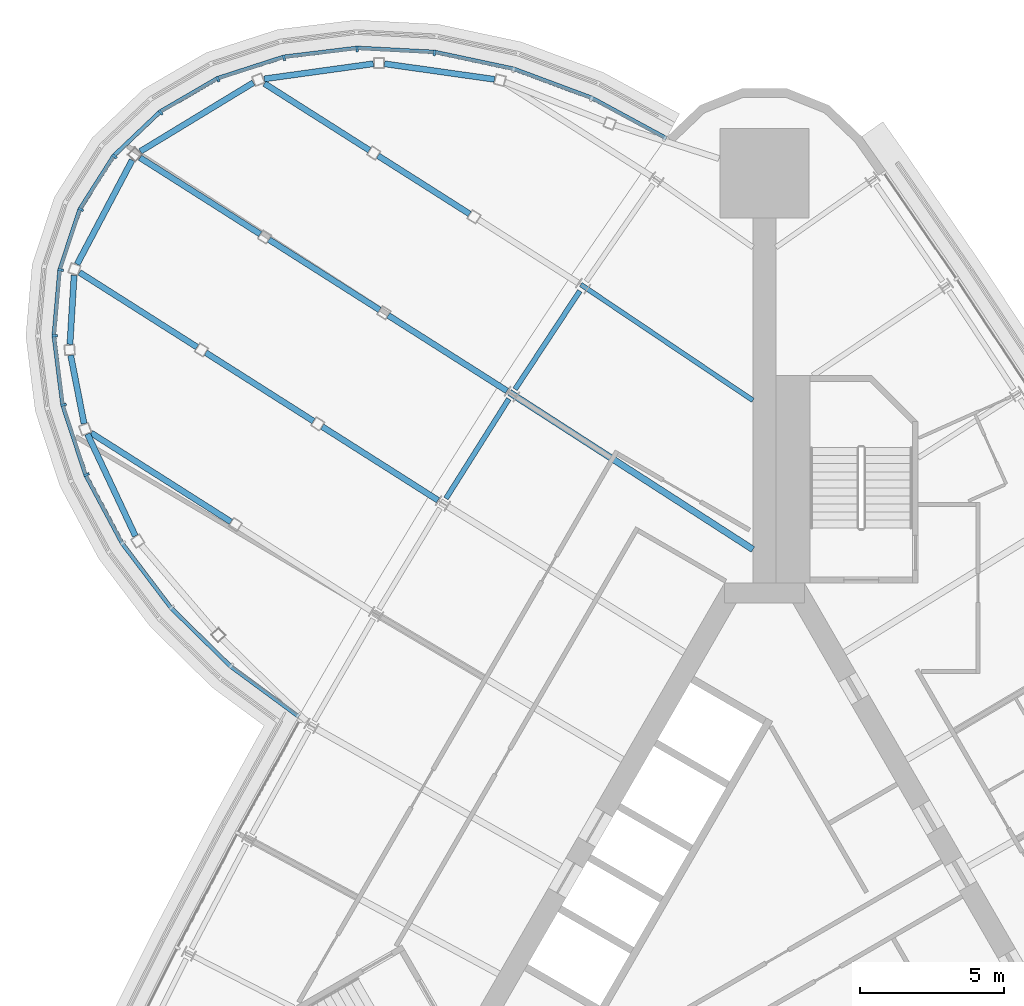
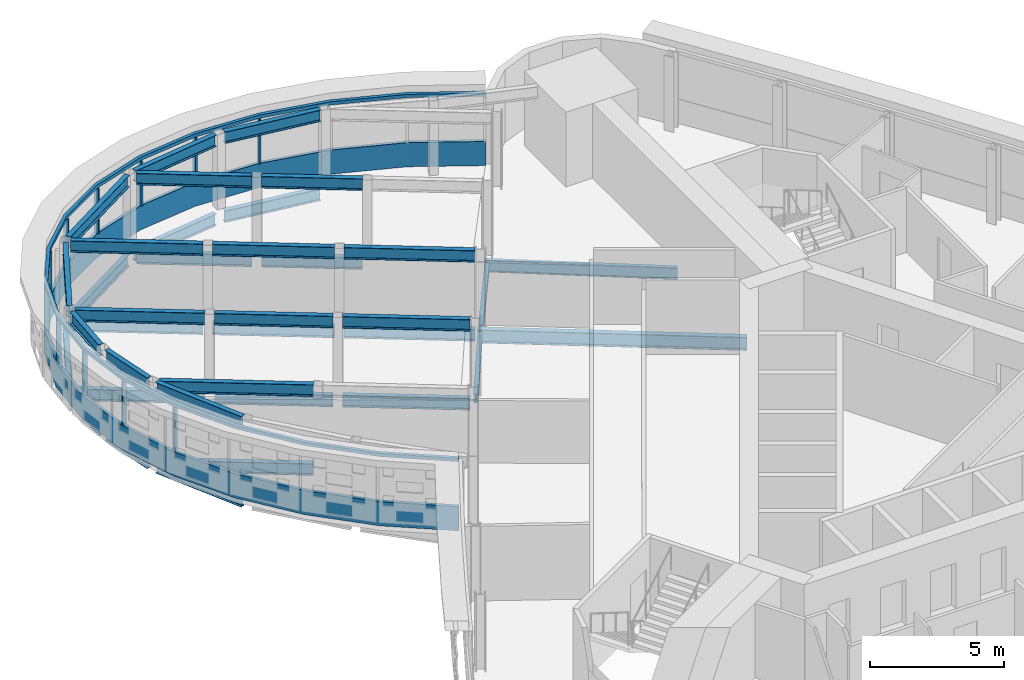
# One storey, part 8 of 17: 36 beams, 13 members, 1 element without a shape of its own.
"""IFC4 building model written with IfcOpenShell, lengths in metres."""

import ifcopenshell
import ifcopenshell.guid

model = None  # the IFC model being written
_history = None  # IfcOwnerHistory: only IFC2X3 demands one
_inside = {}  # id of a spatial element -> (the spatial element, [elements in it])
_under = {}  # id of a project, library or spatial element -> (it, [spatial elements below it])
_declared = {}  # id of a project -> (the project, [libraries it declares])
_typed = {}  # id of a type object -> (the type object, [elements of that type])
_made_of = {}  # id of a material, layer set ... -> (it, [elements and type objects made of it])


def new_model(schema):
    """Start an empty IFC model of exactly this schema.

    Asked for "IFC4X3", IfcOpenShell would pick the latest addendum, in which some entities
    have other attributes; the version numbers below select the first issue.
    IFC2X3 requires an IfcOwnerHistory on every rooted entity: one is made here for all.
    """
    global model, _history
    if schema == "IFC4X3":
        model = ifcopenshell.file(schema_version=(4, 3, 0, 0))
    else:
        model = ifcopenshell.file(schema=schema)
    _inside.clear()
    _under.clear()
    _declared.clear()
    _typed.clear()
    _made_of.clear()
    _history = None
    if model.schema == "IFC2X3":
        org = make("IfcOrganization", Name="unknown")
        user = make(
            "IfcPersonAndOrganization",
            ThePerson=make("IfcPerson", FamilyName="unknown"),
            TheOrganization=org,
        )
        app = make(
            "IfcApplication",
            ApplicationDeveloper=org,
            Version="unknown",
            ApplicationFullName="unknown",
            ApplicationIdentifier="unknown",
        )
        _history = make(
            "IfcOwnerHistory",
            OwningUser=user,
            OwningApplication=app,
            ChangeAction="ADDED",
            CreationDate=0,
        )
    return model


def make(cls, **values):
    """One entity of the class cls with the attributes given. An attribute that is None is left unset."""
    return model.create_entity(
        cls, **{name: value for name, value in values.items() if value is not None}
    )


def rooted(cls, **values):
    """An entity with a GlobalId (a new one), such as an element, a storey or a relation."""
    return make(cls, GlobalId=ifcopenshell.guid.new(), OwnerHistory=_history, **values)


def si_unit(unit_type, name, prefix=None):
    """IfcSIUnit, for example si_unit("LENGTHUNIT", "METRE", prefix="MILLI")."""
    return make("IfcSIUnit", UnitType=unit_type, Prefix=prefix, Name=name)


def assignment(units):
    """IfcUnitAssignment: the units of a project."""
    return None if units is None else make("IfcUnitAssignment", Units=units)


def point(xyz):
    """IfcCartesianPoint."""
    return None if xyz is None else make("IfcCartesianPoint", Coordinates=xyz)


def direction(xyz):
    """IfcDirection."""
    return None if xyz is None else make("IfcDirection", DirectionRatios=xyz)


def frame(location, z_axis=None, x_axis=None):
    """IfcAxis2Placement3D, a coordinate frame: its origin and axes. An axis left out is left unset."""
    return make(
        "IfcAxis2Placement3D",
        Location=point(location),
        Axis=direction(z_axis),
        RefDirection=direction(x_axis),
    )


def frame_2d(location, x_axis=None):
    """IfcAxis2Placement2D, a coordinate frame in the plane: its origin and x axis."""
    return make(
        "IfcAxis2Placement2D", Location=point(location), RefDirection=direction(x_axis)
    )


def origin():
    """The frame at (0, 0, 0) with its axes left unset."""
    return frame((0.0, 0.0, 0.0))


def origin_2d():
    """The frame at (0, 0) in the plane with its x axis left unset."""
    return frame_2d((0.0, 0.0))


def place(relative_to, where):
    """IfcLocalPlacement: puts the frame where relative to a parent placement (None: the world)."""
    return make(
        "IfcLocalPlacement", PlacementRelTo=relative_to, RelativePlacement=where
    )


def context(
    kind, dimensions, precision=None, world=None, true_north=None, identifier=None
):
    """IfcGeometricRepresentationContext, for example the 3D "Model" context."""
    return make(
        "IfcGeometricRepresentationContext",
        ContextIdentifier=identifier,
        ContextType=kind,
        CoordinateSpaceDimension=dimensions,
        Precision=precision,
        WorldCoordinateSystem=world,
        TrueNorth=true_north,
    )


def subcontext(parent, identifier, kind, view, scale=None):
    """IfcGeometricRepresentationSubContext, for example "Body" below "Model"."""
    return make(
        "IfcGeometricRepresentationSubContext",
        ContextIdentifier=identifier,
        ContextType=kind,
        ParentContext=parent,
        TargetScale=scale,
        TargetView=view,
    )


def project(units=None, contexts=None):
    """IfcProject with its units and contexts."""
    return rooted(
        "IfcProject",
        Name="project",
        RepresentationContexts=contexts,
        UnitsInContext=assignment(units),
    )


def spatial(cls, under=None, at=None, **own):
    """A site, building, storey or space (cls), placed at a placement, below another one or the project."""
    s = rooted(cls, ObjectPlacement=at, **own)
    if under is not None:
        _under.setdefault(under.id(), (under, []))[1].append(s)
    return s


def polyline(points):
    """IfcPolyline through the points."""
    return make("IfcPolyline", Points=[point(p) for p in points])


def profile(cls, at=None, kind="AREA", **sizes):
    """A parametric profile (cls). Its sizes go by their IFC names, for example OverallWidth=200.0."""
    return make(cls, ProfileType=kind, Position=at, **sizes)


def rectangle(**sizes):
    """IfcRectangleProfileDef."""
    return profile("IfcRectangleProfileDef", **sizes)


def i_section(**sizes):
    """IfcIShapeProfileDef."""
    return profile("IfcIShapeProfileDef", **sizes)


def outline(outer, holes=None, kind="AREA"):
    """IfcArbitraryClosedProfileDef: a profile drawn as a closed curve; with holes, ...WithVoids."""
    if holes is None:
        return make("IfcArbitraryClosedProfileDef", ProfileType=kind, OuterCurve=outer)
    return make(
        "IfcArbitraryProfileDefWithVoids",
        ProfileType=kind,
        OuterCurve=outer,
        InnerCurves=holes,
    )


def extrude(swept, where, along, depth):
    """IfcExtrudedAreaSolid: the profile swept, set in the frame where, extruded along a direction by depth."""
    return make(
        "IfcExtrudedAreaSolid",
        SweptArea=swept,
        Position=where,
        ExtrudedDirection=direction(along),
        Depth=depth,
    )


def shape(context_of_items, identifier, shape_type, items):
    """IfcShapeRepresentation: the items that make up one representation, for example the "Body"."""
    return make(
        "IfcShapeRepresentation",
        ContextOfItems=context_of_items,
        RepresentationIdentifier=identifier,
        RepresentationType=shape_type,
        Items=items,
    )


def material(Name=None, Category=None):
    """IfcMaterial."""
    return make("IfcMaterial", Name=Name, Category=Category)


def material_profile(
    of_material, cross_section, Name=None, Category=None, Priority=None
):
    """IfcMaterialProfile: a cross section and its material."""
    return make(
        "IfcMaterialProfile",
        Name=Name,
        Material=of_material,
        Profile=cross_section,
        Priority=Priority,
        Category=Category,
    )


def profile_set(profiles, Name=None, composite=None):
    """IfcMaterialProfileSet."""
    return make(
        "IfcMaterialProfileSet",
        Name=Name,
        MaterialProfiles=profiles,
        CompositeProfile=composite,
    )


def made_of(thing, what):
    """Note that an element or type object is made of a material, layer set ...; save() writes the relation."""
    if what is not None:
        _made_of.setdefault(what.id(), (what, []))[1].append(thing)
    return thing


def type_object(cls, material=None, **own):
    """A type object (cls), such as IfcWallType, which elements share."""
    return made_of(rooted(cls, **own), material)


def element(
    cls,
    number,
    at=None,
    inside=None,
    cuts=None,
    type_object=None,
    material=None,
    context=None,
    identifier="Body",
    shape_type=None,
    held_by="IfcProductDefinitionShape",
    body=None,
    shapes=None,
    **own,
):
    """One element of the class cls, such as IfcWall. Its Tag is "e" and its number.

    at: its placement. inside: the storey or other place that contains it. cuts: it is an
    opening in that element (IfcRelVoidsElement). A single representation is given by context,
    identifier, shape_type and body (its items); several are given by shapes. held_by: the class
    of the entity that holds the representations. save() writes the other relations.
    """
    e = rooted(cls, Tag="e%d" % number, ObjectPlacement=at, **own)
    if body is not None:
        shapes = [shape(context, identifier, shape_type, body)]
    if shapes is not None:
        e.Representation = make(held_by, Representations=shapes)
    if inside is not None:
        _inside.setdefault(inside.id(), (inside, []))[1].append(e)
    if cuts is not None:
        rooted(
            "IfcRelVoidsElement", RelatingBuildingElement=cuts, RelatedOpeningElement=e
        )
    if type_object is not None:
        _typed.setdefault(type_object.id(), (type_object, []))[1].append(e)
    return made_of(e, material)


def aggregate(whole, parts):
    """IfcRelAggregates: a whole, such as a stair, and the parts it consists of."""
    return rooted("IfcRelAggregates", RelatingObject=whole, RelatedObjects=parts)


def save(model, path):
    """Write the relations noted so far, then the file.

    IfcRelAggregates (storeys below a building ...), IfcRelContainedInSpatialStructure (elements
    in a storey), IfcRelDefinesByType, IfcRelAssociatesMaterial and IfcRelDeclares: one each for
    every whole, place, type object, material and project.
    """
    for whole, parts in _under.values():
        aggregate(whole, parts)
    for where, things in _inside.values():
        rooted(
            "IfcRelContainedInSpatialStructure",
            RelatedElements=things,
            RelatingStructure=where,
        )
    for kind, things in _typed.values():
        rooted("IfcRelDefinesByType", RelatedObjects=things, RelatingType=kind)
    for what, things in _made_of.values():
        rooted("IfcRelAssociatesMaterial", RelatedObjects=things, RelatingMaterial=what)
    for by, libraries in _declared.values():
        rooted("IfcRelDeclares", RelatingContext=by, RelatedDefinitions=libraries)
    model.write(path)


model = new_model("IFC4")

# Units and contexts
model_context = context("Model", 3, precision=1e-05, world=origin(), true_north=direction((0.0, 1.0)))
body_context = subcontext(model_context, "Body", "Model", "MODEL_VIEW")
ifc_project = project(units=[si_unit("LENGTHUNIT", "METRE"), si_unit("AREAUNIT", "SQUARE_METRE"), si_unit("VOLUMEUNIT", "CUBIC_METRE"), si_unit("PLANEANGLEUNIT", "RADIAN"), si_unit("MASSUNIT", "GRAM", prefix="KILO")], contexts=[model_context])

# Site, building, storey
site_placement = place(None, origin())
site = spatial("IfcSite", under=ifc_project, at=site_placement, CompositionType="ELEMENT")
building_placement = place(site_placement, origin())
building = spatial("IfcBuilding", under=site, at=building_placement, Name="Noor Cloister Tower", CompositionType="ELEMENT")
storey_placement = place(building_placement, frame((0.0, 0.0, 102.300048828125)))
storey = spatial("IfcBuildingStorey", under=building, at=storey_placement, Name="L26", CompositionType="ELEMENT", Elevation=102.300048828125)

# Curtain wall, members
ifc_material_1 = material(Name="Aluminium 6063-T6 anodised", Category="aluminium")
curtain_wall_type = type_object("IfcCurtainWallType", Name="Sky bar curtain wall, lower bars CW2", PredefinedType="NOTDEFINED", material=ifc_material_1)
curtain_wall_placement = place(storey_placement, origin())
curtain_wall = element("IfcCurtainWall", 1, at=curtain_wall_placement, inside=storey, type_object=curtain_wall_type, Name="CW2 L26 NW sky bar run 1", PredefinedType="NOTDEFINED")
ifc_material_2 = material(Name="Aluminium 6063-T6 anodised", Category="aluminium")
member_type_1 = type_object("IfcMemberType", Name="Head transom CW2 150", PredefinedType="USERDEFINED", material=ifc_material_2)
member_1_placement = place(storey_placement, frame((0.0, 0.0, 3.14990234375)))
member_1 = element("IfcMember", 2, at=member_1_placement, type_object=member_type_1, Name="CW2 head transom", ObjectType="TRANSOM", PredefinedType="USERDEFINED", context=body_context, shape_type="SweptSolid", body=[
    extrude(outline(polyline([(-3.37548828125, 26.95263671875), (-5.96630859375, 28.357666015625), (-8.68701171875, 29.370849609375), (-11.445556640625, 29.9580078125), (-14.147705078125, 30.098876953125), (-16.70166015625, 29.7890625), (-19.02001953125, 29.03857421875), (-21.0244140625, 27.873291015625), (-22.646240234375, 26.332763671875), (-23.830078125, 24.469482421875), (-24.5361328125, 22.34716796875), (-24.739990234375, 20.03759765625), (-24.434814453125, 17.619873046875), (-23.631103515625, 15.17626953125), (-22.35595703125, 12.78955078125), (-20.65283203125, 10.54150390625), (-18.580078125, 8.508544921875), (-16.2080078125, 6.759765625), (-16.125, 6.872314453125), (-18.489013671875, 8.615234375), (-20.547607421875, 10.63427734375), (-22.237548828125, 12.865234375), (-23.501708984375, 15.2314453125), (-24.297607421875, 17.65087890625), (-24.59912109375, 20.040283203125), (-24.398193359375, 22.318603515625), (-23.70263671875, 24.408935546875), (-22.537109375, 26.2431640625), (-20.93994140625, 27.760498046875), (-18.962646484375, 28.909912109375), (-16.67138671875, 29.651611328125), (-14.142822265625, 29.95849609375), (-11.4638671875, 29.81884765625), (-8.726318359375, 29.236083984375), (-6.024169921875, 28.22998046875), (-3.4423828125, 26.82958984375), (-3.37548828125, 26.95263671875)])), origin(), (0.0, 0.0, 1.0), 0.150146484375),
])
ifc_material_3 = material(Name="Aluminium 6063-T6 anodised", Category="aluminium")
ifc_material_profile_1 = material_profile(ifc_material_3, rectangle(XDim=0.199951171875, YDim=0.080078125, at=origin_2d()), Name="200 x 80 mullion")
ifc_profile_set_1 = profile_set([ifc_material_profile_1], Name="Aluminium 6063-T6 anodised")
member_type_2 = type_object("IfcMemberType", Name="Mullion CW2 80 x 200", PredefinedType="MULLION", material=ifc_profile_set_1)
member_2_placement = place(storey_placement, frame((-11.458740234375, 29.858642578125, 1.099853515625), z_axis=(0.0, 0.0, 1.0), x_axis=(-0.130537007198, -0.991443437495, 0.0)))
member_2 = element("IfcMember", 3, at=member_2_placement, type_object=member_type_2, Name="CW2 mullion 4", PredefinedType="MULLION", context=body_context, shape_type="SweptSolid", body=[
    extrude(rectangle(XDim=0.199951171875, YDim=0.080078125, at=origin_2d()), origin(), (0.0, 0.0, 1.0), 2.050048828125),
])
member_3_placement = place(storey_placement, frame((-14.144287109375, 29.99853515625, 1.099853515625), z_axis=(0.0, 0.0, 1.0), x_axis=(0.034339163222, -0.999410237024, 0.0)))
member_3 = element("IfcMember", 4, at=member_3_placement, type_object=member_type_2, Name="CW2 mullion 5", PredefinedType="MULLION", context=body_context, shape_type="SweptSolid", body=[
    extrude(rectangle(XDim=0.199951171875, YDim=0.080078125, at=origin_2d()), origin(), (0.0, 0.0, 1.0), 2.050048828125),
])
member_4_placement = place(storey_placement, frame((-16.679931640625, 29.69091796875, 1.099853515625), z_axis=(0.0, 0.0, 1.0), x_axis=(0.215217945533, -0.976566042785, 0.0)))
member_4 = element("IfcMember", 5, at=member_4_placement, type_object=member_type_2, Name="CW2 mullion 6", PredefinedType="MULLION", context=body_context, shape_type="SweptSolid", body=[
    extrude(rectangle(XDim=0.199951171875, YDim=0.080078125, at=origin_2d()), origin(), (0.0, 0.0, 1.0), 2.050048828125),
])
member_5_placement = place(storey_placement, frame((-18.97900390625, 28.94677734375, 1.099853515625), z_axis=(0.0, 0.0, 1.0), x_axis=(0.407603993051, -0.91315879498, 0.0)))
member_5 = element("IfcMember", 6, at=member_5_placement, type_object=member_type_2, Name="CW2 mullion 7", PredefinedType="MULLION", context=body_context, shape_type="SweptSolid", body=[
    extrude(rectangle(XDim=0.199951171875, YDim=0.080078125, at=origin_2d()), origin(), (0.0, 0.0, 1.0), 2.050048828125),
])
member_6_placement = place(storey_placement, frame((-20.9638671875, 27.792724609375, 1.099853515625), z_axis=(0.0, 0.0, 1.0), x_axis=(0.599728606641, -0.800203473109, 0.0)))
member_6 = element("IfcMember", 7, at=member_6_placement, type_object=member_type_2, Name="CW2 mullion 8", PredefinedType="MULLION", context=body_context, shape_type="SweptSolid", body=[
    extrude(rectangle(XDim=0.199951171875, YDim=0.080078125, at=origin_2d()), origin(), (0.0, 0.0, 1.0), 2.050048828125),
])
member_7_placement = place(storey_placement, frame((-22.568359375, 26.268798828125, 1.099853515625), z_axis=(0.0, 0.0, 1.0), x_axis=(0.772133014619, -0.635460941156, 0.0)))
member_7 = element("IfcMember", 8, at=member_7_placement, type_object=member_type_2, Name="CW2 mullion 9", PredefinedType="MULLION", context=body_context, shape_type="SweptSolid", body=[
    extrude(rectangle(XDim=0.199951171875, YDim=0.080078125, at=origin_2d()), origin(), (0.0, 0.0, 1.0), 2.050048828125),
])
member_8_placement = place(storey_placement, frame((-23.7392578125, 24.42626953125, 1.099853515625), z_axis=(0.0, 0.0, 1.0), x_axis=(0.903208899388, -0.429201216292, 0.0)))
member_8 = element("IfcMember", 9, at=member_8_placement, type_object=member_type_2, Name="CW2 mullion 10", PredefinedType="MULLION", context=body_context, shape_type="SweptSolid", body=[
    extrude(rectangle(XDim=0.199951171875, YDim=0.080078125, at=origin_2d()), origin(), (0.0, 0.0, 1.0), 2.050048828125),
])
member_9_placement = place(storey_placement, frame((-24.4375, 22.32666015625, 1.099853515625), z_axis=(0.0, 0.0, 1.0), x_axis=(0.979146575689, -0.203155072094, 0.0)))
member_9 = element("IfcMember", 10, at=member_9_placement, type_object=member_type_2, Name="CW2 mullion 11", PredefinedType="MULLION", context=body_context, shape_type="SweptSolid", body=[
    extrude(rectangle(XDim=0.199951171875, YDim=0.080078125, at=origin_2d()), origin(), (0.0, 0.0, 1.0), 2.050048828125),
])
member_10_placement = place(storey_placement, frame((-24.639404296875, 20.03955078125, 1.099853515625), z_axis=(0.0, 0.0, 1.0), x_axis=(0.999824146621, 0.01875302198, 0.0)))
member_10 = element("IfcMember", 11, at=member_10_placement, type_object=member_type_2, Name="CW2 mullion 12", PredefinedType="MULLION", context=body_context, shape_type="SweptSolid", body=[
    extrude(rectangle(XDim=0.199951171875, YDim=0.080078125, at=origin_2d()), origin(), (0.0, 0.0, 1.0), 2.050048828125),
])
member_11_placement = place(storey_placement, frame((-24.3369140625, 17.64208984375, 1.099853515625), z_axis=(0.0, 0.0, 1.0), x_axis=(0.975532134226, 0.21985689685, 0.0)))
member_11 = element("IfcMember", 12, at=member_11_placement, type_object=member_type_2, Name="CW2 mullion 13", PredefinedType="MULLION", context=body_context, shape_type="SweptSolid", body=[
    extrude(rectangle(XDim=0.199951171875, YDim=0.080078125, at=origin_2d()), origin(), (0.0, 0.0, 1.0), 2.050048828125),
])
member_12_placement = place(storey_placement, frame((-23.538818359375, 15.215576171875, 1.099853515625), z_axis=(0.0, 0.0, 1.0), x_axis=(0.91940282099, 0.393317241875, 0.0)))
member_12 = element("IfcMember", 13, at=member_12_placement, type_object=member_type_2, Name="CW2 mullion 14", PredefinedType="MULLION", context=body_context, shape_type="SweptSolid", body=[
    extrude(rectangle(XDim=0.199951171875, YDim=0.080078125, at=origin_2d()), origin(), (0.0, 0.0, 1.0), 2.050048828125),
])

# Beams
ifc_material_4 = material(Name="Steel ASTM A992 Gr 50", Category="steel")
ifc_material_profile_2 = material_profile(ifc_material_4, i_section(OverallWidth=0.208984375, OverallDepth=0.532958984375, WebThickness=0.01025390625, FlangeThickness=0.015625, FilletRadius=0.0126953125, at=origin_2d()), Name="W530x92")
ifc_profile_set_2 = profile_set([ifc_material_profile_2], Name="Steel ASTM A992 Gr 50")
beam_type_1 = type_object("IfcBeamType", Name="Pod floor beam W530x92", PredefinedType="BEAM", material=ifc_profile_set_2)
beam_1_placement = place(storey_placement, frame((-10.234619140625, 24.266357421875, -0.466552734375), z_axis=(-0.843997356309, 0.536347333865, 0.0), x_axis=(-0.536347333865, -0.843997356309, 0.0)))
element("IfcBeam", 14, at=beam_1_placement, inside=storey, type_object=beam_type_1, Name="Pod floor beam 2 L26 line 2 span 2", PredefinedType="BEAM", context=body_context, shape_type="SweptSolid", body=[
    extrude(i_section(OverallWidth=0.208984375, OverallDepth=0.532958984375, WebThickness=0.01025390625, FlangeThickness=0.015625, FilletRadius=0.0126953125, at=origin_2d()), origin(), (0.0, 0.0, 1.0), 3.76953125),
])
beam_2_placement = place(storey_placement, frame((-13.716552734375, 26.47900390625, -0.466552734375), z_axis=(-0.844008122909, 0.536330391143, 0.0), x_axis=(-0.536330391143, -0.844008122909, 0.0)))
element("IfcBeam", 15, at=beam_2_placement, inside=storey, type_object=beam_type_1, Name="Pod floor beam 2 L26 line 2 span 3", PredefinedType="BEAM", context=body_context, shape_type="SweptSolid", body=[
    extrude(i_section(OverallWidth=0.208984375, OverallDepth=0.532958984375, WebThickness=0.01025390625, FlangeThickness=0.015625, FilletRadius=0.0126953125, at=origin_2d()), origin(), (0.0, 0.0, 1.0), 4.319091796875),
])
beam_3_placement = place(storey_placement, frame((-8.93701171875, 18.12353515625, -0.466552734375), z_axis=(-0.843994576077, 0.536351708818, 0.0), x_axis=(-0.536351708818, -0.843994576077, 0.0)))
element("IfcBeam", 16, at=beam_3_placement, inside=storey, type_object=beam_type_1, Name="Pod floor beam 2 L26 line 3 span 1", PredefinedType="BEAM", context=body_context, shape_type="SweptSolid", body=[
    extrude(i_section(OverallWidth=0.208984375, OverallDepth=0.532958984375, WebThickness=0.01025390625, FlangeThickness=0.015625, FilletRadius=0.0126953125, at=origin_2d()), origin(), (0.0, 0.0, 1.0), 4.886962890625),
])
beam_4_placement = place(storey_placement, frame((-13.362060546875, 20.935546875, -0.466552734375), z_axis=(-0.844003591589, 0.536337521888, 0.0), x_axis=(-0.536337521888, -0.844003591589, 0.0)))
element("IfcBeam", 17, at=beam_4_placement, inside=storey, type_object=beam_type_1, Name="Pod floor beam 2 L26 line 3 span 2", PredefinedType="BEAM", context=body_context, shape_type="SweptSolid", body=[
    extrude(i_section(OverallWidth=0.208984375, OverallDepth=0.532958984375, WebThickness=0.01025390625, FlangeThickness=0.015625, FilletRadius=0.0126953125, at=origin_2d()), origin(), (0.0, 0.0, 1.0), 4.552490234375),
])
beam_5_placement = place(storey_placement, frame((-17.504638671875, 23.568115234375, -0.466552734375), z_axis=(-0.843986539522, 0.536364354805, 0.0), x_axis=(-0.536364354805, -0.843986539522, 0.0)))
element("IfcBeam", 18, at=beam_5_placement, inside=storey, type_object=beam_type_1, Name="Pod floor beam 2 L26 line 3 span 3", PredefinedType="BEAM", context=body_context, shape_type="SweptSolid", body=[
    extrude(i_section(OverallWidth=0.208984375, OverallDepth=0.532958984375, WebThickness=0.01025390625, FlangeThickness=0.015625, FilletRadius=0.0126953125, at=origin_2d()), origin(), (0.0, 0.0, 1.0), 4.946044921875),
])
beam_6_placement = place(storey_placement, frame((-11.33349609375, 14.32763671875, -0.466552734375), z_axis=(-0.844000855951, 0.536341826781, 0.0), x_axis=(-0.536341826781, -0.844000855951, 0.0)))
element("IfcBeam", 19, at=beam_6_placement, inside=storey, type_object=beam_type_1, Name="Pod floor beam 2 L26 line 4 span 1", PredefinedType="BEAM", context=body_context, shape_type="SweptSolid", body=[
    extrude(i_section(OverallWidth=0.208984375, OverallDepth=0.532958984375, WebThickness=0.01025390625, FlangeThickness=0.015625, FilletRadius=0.0126953125, at=origin_2d()), origin(), (0.0, 0.0, 1.0), 4.766845703125),
])
beam_7_placement = place(storey_placement, frame((-15.6572265625, 17.0751953125, -0.466552734375), z_axis=(-0.844003834016, 0.536337140394, 0.0), x_axis=(-0.536337140394, -0.844003834016, 0.0)))
element("IfcBeam", 20, at=beam_7_placement, inside=storey, type_object=beam_type_1, Name="Pod floor beam 2 L26 line 4 span 2", PredefinedType="BEAM", context=body_context, shape_type="SweptSolid", body=[
    extrude(i_section(OverallWidth=0.208984375, OverallDepth=0.532958984375, WebThickness=0.01025390625, FlangeThickness=0.015625, FilletRadius=0.0126953125, at=origin_2d()), origin(), (0.0, 0.0, 1.0), 4.431884765625),
])
beam_8_placement = place(storey_placement, frame((-19.697998046875, 19.643310546875, -0.466552734375), z_axis=(-0.844006413162, 0.536333081714, 0.0), x_axis=(-0.536333081714, -0.844006413162, 0.0)))
element("IfcBeam", 21, at=beam_8_placement, inside=storey, type_object=beam_type_1, Name="Pod floor beam 2 L26 line 4 span 3", PredefinedType="BEAM", context=body_context, shape_type="SweptSolid", body=[
    extrude(i_section(OverallWidth=0.208984375, OverallDepth=0.532958984375, WebThickness=0.01025390625, FlangeThickness=0.015625, FilletRadius=0.0126953125, at=origin_2d()), origin(), (0.0, 0.0, 1.0), 4.835693359375),
])
beam_9_placement = place(storey_placement, frame((-18.521728515625, 13.578125, -0.466552734375), z_axis=(-0.844002290761, 0.536339568921, 0.0), x_axis=(-0.536339568921, -0.844002290761, 0.0)))
element("IfcBeam", 22, at=beam_9_placement, inside=storey, type_object=beam_type_1, Name="Pod floor beam 2 L26 line 5 span 2", PredefinedType="BEAM", context=body_context, shape_type="SweptSolid", body=[
    extrude(i_section(OverallWidth=0.208984375, OverallDepth=0.532958984375, WebThickness=0.01025390625, FlangeThickness=0.015625, FilletRadius=0.0126953125, at=origin_2d()), origin(), (0.0, 0.0, 1.0), 5.749267578125),
])
beam_10_placement = place(storey_placement, frame((-9.374267578125, 28.94140625, -0.466552734375), z_axis=(-0.990158547514, 0.139950172509, 0.0), x_axis=(-0.139950172509, -0.990158547514, 0.0)))
element("IfcBeam", 23, at=beam_10_placement, inside=storey, type_object=beam_type_1, Name="Pod floor beam 2 L26 ring 3", PredefinedType="BEAM", context=body_context, shape_type="SweptSolid", body=[
    extrude(i_section(OverallWidth=0.208984375, OverallDepth=0.532958984375, WebThickness=0.01025390625, FlangeThickness=0.015625, FilletRadius=0.0126953125, at=origin_2d()), origin(), (0.0, 0.0, 1.0), 3.85693359375),
])
beam_11_placement = place(storey_placement, frame((-13.578369140625, 29.48193359375, -0.466552734375), z_axis=(-0.990551600656, -0.137140535357, 0.0), x_axis=(0.137140535357, -0.990551600656, 0.0)))
element("IfcBeam", 24, at=beam_11_placement, inside=storey, type_object=beam_type_1, Name="Pod floor beam 2 L26 ring 4", PredefinedType="BEAM", context=body_context, shape_type="SweptSolid", body=[
    extrude(i_section(OverallWidth=0.208984375, OverallDepth=0.532958984375, WebThickness=0.01025390625, FlangeThickness=0.015625, FilletRadius=0.0126953125, at=origin_2d()), origin(), (0.0, 0.0, 1.0), 3.82568359375),
])
beam_12_placement = place(storey_placement, frame((-17.74365234375, 28.824951171875, -0.466552734375), z_axis=(-0.85463846229, -0.519223553755, 0.0), x_axis=(0.519223553755, -0.85463846229, 0.0)))
element("IfcBeam", 25, at=beam_12_placement, inside=storey, type_object=beam_type_1, Name="Pod floor beam 2 L26 ring 5", PredefinedType="BEAM", context=body_context, shape_type="SweptSolid", body=[
    extrude(i_section(OverallWidth=0.208984375, OverallDepth=0.532958984375, WebThickness=0.01025390625, FlangeThickness=0.015625, FilletRadius=0.0126953125, at=origin_2d()), origin(), (0.0, 0.0, 1.0), 4.59423828125),
])
beam_13_placement = place(storey_placement, frame((-21.951416015625, 26.13916015625, -0.466552734375), z_axis=(-0.467511937822, -0.883986757816, 0.0), x_axis=(0.883986757816, -0.467511937822, 0.0)))
element("IfcBeam", 26, at=beam_13_placement, inside=storey, type_object=beam_type_1, Name="Pod floor beam 2 L26 ring 6", PredefinedType="BEAM", context=body_context, shape_type="SweptSolid", body=[
    extrude(i_section(OverallWidth=0.208984375, OverallDepth=0.532958984375, WebThickness=0.01025390625, FlangeThickness=0.015625, FilletRadius=0.0126953125, at=origin_2d()), origin(), (0.0, 0.0, 1.0), 4.090087890625),
])
beam_14_placement = place(storey_placement, frame((-23.968505859375, 22.136962890625, -0.466552734375), z_axis=(-0.06003423324, -0.998196318787, 0.0), x_axis=(0.998196318787, -0.06003423324, 0.0)))
element("IfcBeam", 27, at=beam_14_placement, inside=storey, type_object=beam_type_1, Name="Pod floor beam 2 L26 ring 7", PredefinedType="BEAM", context=body_context, shape_type="SweptSolid", body=[
    extrude(i_section(OverallWidth=0.208984375, OverallDepth=0.532958984375, WebThickness=0.01025390625, FlangeThickness=0.015625, FilletRadius=0.0126953125, at=origin_2d()), origin(), (0.0, 0.0, 1.0), 2.3994140625),
])
beam_15_placement = place(storey_placement, frame((-24.0869140625, 19.3603515625, -0.466552734375), z_axis=(0.192153252739, -0.981364930829, 0.0), x_axis=(0.981364930829, 0.192153252739, 0.0)))
element("IfcBeam", 28, at=beam_15_placement, inside=storey, type_object=beam_type_1, Name="Pod floor beam 2 L26 ring 8", PredefinedType="BEAM", context=body_context, shape_type="SweptSolid", body=[
    extrude(i_section(OverallWidth=0.208984375, OverallDepth=0.532958984375, WebThickness=0.01025390625, FlangeThickness=0.015625, FilletRadius=0.0126953125, at=origin_2d()), origin(), (0.0, 0.0, 1.0), 2.41796875),
])
beam_16_placement = place(storey_placement, frame((-23.50439453125, 16.62451171875, -0.466552734375), z_axis=(0.425493149697, -0.904961645354, 0.0), x_axis=(0.904961645354, 0.425493149697, 0.0)))
element("IfcBeam", 29, at=beam_16_placement, inside=storey, type_object=beam_type_1, Name="Pod floor beam 2 L26 ring 9", PredefinedType="BEAM", context=body_context, shape_type="SweptSolid", body=[
    extrude(i_section(OverallWidth=0.208984375, OverallDepth=0.532958984375, WebThickness=0.01025390625, FlangeThickness=0.015625, FilletRadius=0.0126953125, at=origin_2d()), origin(), (0.0, 0.0, 1.0), 3.907958984375),
])
beam_17_placement = place(storey_placement, frame((-10.234619140625, 24.266357421875, 3.133544921875), z_axis=(-0.843997356309, 0.536347333865, 0.0), x_axis=(-0.536347333865, -0.843997356309, 0.0)))
element("IfcBeam", 30, at=beam_17_placement, inside=storey, type_object=beam_type_1, Name="Pod floor beam 2 L27 line 2 span 2", PredefinedType="BEAM", context=body_context, shape_type="SweptSolid", body=[
    extrude(i_section(OverallWidth=0.208984375, OverallDepth=0.532958984375, WebThickness=0.01025390625, FlangeThickness=0.015625, FilletRadius=0.0126953125, at=origin_2d()), origin(), (0.0, 0.0, 1.0), 3.76953125),
])
beam_18_placement = place(storey_placement, frame((-13.716552734375, 26.47900390625, 3.133544921875), z_axis=(-0.844008122909, 0.536330391143, 0.0), x_axis=(-0.536330391143, -0.844008122909, 0.0)))
element("IfcBeam", 31, at=beam_18_placement, inside=storey, type_object=beam_type_1, Name="Pod floor beam 2 L27 line 2 span 3", PredefinedType="BEAM", context=body_context, shape_type="SweptSolid", body=[
    extrude(i_section(OverallWidth=0.208984375, OverallDepth=0.532958984375, WebThickness=0.01025390625, FlangeThickness=0.015625, FilletRadius=0.0126953125, at=origin_2d()), origin(), (0.0, 0.0, 1.0), 4.319091796875),
])
beam_19_placement = place(storey_placement, frame((-8.93701171875, 18.12353515625, 3.133544921875), z_axis=(-0.843994576077, 0.536351708818, 0.0), x_axis=(-0.536351708818, -0.843994576077, 0.0)))
element("IfcBeam", 32, at=beam_19_placement, inside=storey, type_object=beam_type_1, Name="Pod floor beam 2 L27 line 3 span 1", PredefinedType="BEAM", context=body_context, shape_type="SweptSolid", body=[
    extrude(i_section(OverallWidth=0.208984375, OverallDepth=0.532958984375, WebThickness=0.01025390625, FlangeThickness=0.015625, FilletRadius=0.0126953125, at=origin_2d()), origin(), (0.0, 0.0, 1.0), 4.886962890625),
])
beam_20_placement = place(storey_placement, frame((-13.362060546875, 20.935546875, 3.133544921875), z_axis=(-0.844003591589, 0.536337521888, 0.0), x_axis=(-0.536337521888, -0.844003591589, 0.0)))
element("IfcBeam", 33, at=beam_20_placement, inside=storey, type_object=beam_type_1, Name="Pod floor beam 2 L27 line 3 span 2", PredefinedType="BEAM", context=body_context, shape_type="SweptSolid", body=[
    extrude(i_section(OverallWidth=0.208984375, OverallDepth=0.532958984375, WebThickness=0.01025390625, FlangeThickness=0.015625, FilletRadius=0.0126953125, at=origin_2d()), origin(), (0.0, 0.0, 1.0), 4.552490234375),
])
beam_21_placement = place(storey_placement, frame((-17.504638671875, 23.568115234375, 3.133544921875), z_axis=(-0.843986539522, 0.536364354805, 0.0), x_axis=(-0.536364354805, -0.843986539522, 0.0)))
element("IfcBeam", 34, at=beam_21_placement, inside=storey, type_object=beam_type_1, Name="Pod floor beam 2 L27 line 3 span 3", PredefinedType="BEAM", context=body_context, shape_type="SweptSolid", body=[
    extrude(i_section(OverallWidth=0.208984375, OverallDepth=0.532958984375, WebThickness=0.01025390625, FlangeThickness=0.015625, FilletRadius=0.0126953125, at=origin_2d()), origin(), (0.0, 0.0, 1.0), 4.946044921875),
])
beam_22_placement = place(storey_placement, frame((-11.33349609375, 14.32763671875, 3.133544921875), z_axis=(-0.844000855951, 0.536341826781, 0.0), x_axis=(-0.536341826781, -0.844000855951, 0.0)))
element("IfcBeam", 35, at=beam_22_placement, inside=storey, type_object=beam_type_1, Name="Pod floor beam 2 L27 line 4 span 1", PredefinedType="BEAM", context=body_context, shape_type="SweptSolid", body=[
    extrude(i_section(OverallWidth=0.208984375, OverallDepth=0.532958984375, WebThickness=0.01025390625, FlangeThickness=0.015625, FilletRadius=0.0126953125, at=origin_2d()), origin(), (0.0, 0.0, 1.0), 4.766845703125),
])
beam_23_placement = place(storey_placement, frame((-15.6572265625, 17.0751953125, 3.133544921875), z_axis=(-0.844003834016, 0.536337140394, 0.0), x_axis=(-0.536337140394, -0.844003834016, 0.0)))
element("IfcBeam", 36, at=beam_23_placement, inside=storey, type_object=beam_type_1, Name="Pod floor beam 2 L27 line 4 span 2", PredefinedType="BEAM", context=body_context, shape_type="SweptSolid", body=[
    extrude(i_section(OverallWidth=0.208984375, OverallDepth=0.532958984375, WebThickness=0.01025390625, FlangeThickness=0.015625, FilletRadius=0.0126953125, at=origin_2d()), origin(), (0.0, 0.0, 1.0), 4.431884765625),
])
beam_24_placement = place(storey_placement, frame((-19.697998046875, 19.643310546875, 3.133544921875), z_axis=(-0.844006413162, 0.536333081714, 0.0), x_axis=(-0.536333081714, -0.844006413162, 0.0)))
element("IfcBeam", 37, at=beam_24_placement, inside=storey, type_object=beam_type_1, Name="Pod floor beam 2 L27 line 4 span 3", PredefinedType="BEAM", context=body_context, shape_type="SweptSolid", body=[
    extrude(i_section(OverallWidth=0.208984375, OverallDepth=0.532958984375, WebThickness=0.01025390625, FlangeThickness=0.015625, FilletRadius=0.0126953125, at=origin_2d()), origin(), (0.0, 0.0, 1.0), 4.835693359375),
])
beam_25_placement = place(storey_placement, frame((-18.521728515625, 13.578125, 3.133544921875), z_axis=(-0.844002290761, 0.536339568921, 0.0), x_axis=(-0.536339568921, -0.844002290761, 0.0)))
element("IfcBeam", 38, at=beam_25_placement, inside=storey, type_object=beam_type_1, Name="Pod floor beam 2 L27 line 5 span 2", PredefinedType="BEAM", context=body_context, shape_type="SweptSolid", body=[
    extrude(i_section(OverallWidth=0.208984375, OverallDepth=0.532958984375, WebThickness=0.01025390625, FlangeThickness=0.015625, FilletRadius=0.0126953125, at=origin_2d()), origin(), (0.0, 0.0, 1.0), 5.749267578125),
])
beam_26_placement = place(storey_placement, frame((-9.374267578125, 28.94140625, 3.133544921875), z_axis=(-0.990158547514, 0.139950172509, 0.0), x_axis=(-0.139950172509, -0.990158547514, 0.0)))
element("IfcBeam", 39, at=beam_26_placement, inside=storey, type_object=beam_type_1, Name="Pod floor beam 2 L27 ring 3", PredefinedType="BEAM", context=body_context, shape_type="SweptSolid", body=[
    extrude(i_section(OverallWidth=0.208984375, OverallDepth=0.532958984375, WebThickness=0.01025390625, FlangeThickness=0.015625, FilletRadius=0.0126953125, at=origin_2d()), origin(), (0.0, 0.0, 1.0), 3.85693359375),
])
beam_27_placement = place(storey_placement, frame((-13.578369140625, 29.48193359375, 3.133544921875), z_axis=(-0.990551600656, -0.137140535357, 0.0), x_axis=(0.137140535357, -0.990551600656, 0.0)))
element("IfcBeam", 40, at=beam_27_placement, inside=storey, type_object=beam_type_1, Name="Pod floor beam 2 L27 ring 4", PredefinedType="BEAM", context=body_context, shape_type="SweptSolid", body=[
    extrude(i_section(OverallWidth=0.208984375, OverallDepth=0.532958984375, WebThickness=0.01025390625, FlangeThickness=0.015625, FilletRadius=0.0126953125, at=origin_2d()), origin(), (0.0, 0.0, 1.0), 3.82568359375),
])
beam_28_placement = place(storey_placement, frame((-17.74365234375, 28.824951171875, 3.133544921875), z_axis=(-0.85463846229, -0.519223553755, 0.0), x_axis=(0.519223553755, -0.85463846229, 0.0)))
element("IfcBeam", 41, at=beam_28_placement, inside=storey, type_object=beam_type_1, Name="Pod floor beam 2 L27 ring 5", PredefinedType="BEAM", context=body_context, shape_type="SweptSolid", body=[
    extrude(i_section(OverallWidth=0.208984375, OverallDepth=0.532958984375, WebThickness=0.01025390625, FlangeThickness=0.015625, FilletRadius=0.0126953125, at=origin_2d()), origin(), (0.0, 0.0, 1.0), 4.59423828125),
])
beam_29_placement = place(storey_placement, frame((-21.951416015625, 26.13916015625, 3.133544921875), z_axis=(-0.467511937822, -0.883986757816, 0.0), x_axis=(0.883986757816, -0.467511937822, 0.0)))
element("IfcBeam", 42, at=beam_29_placement, inside=storey, type_object=beam_type_1, Name="Pod floor beam 2 L27 ring 6", PredefinedType="BEAM", context=body_context, shape_type="SweptSolid", body=[
    extrude(i_section(OverallWidth=0.208984375, OverallDepth=0.532958984375, WebThickness=0.01025390625, FlangeThickness=0.015625, FilletRadius=0.0126953125, at=origin_2d()), origin(), (0.0, 0.0, 1.0), 4.090087890625),
])
beam_30_placement = place(storey_placement, frame((-23.968505859375, 22.136962890625, 3.133544921875), z_axis=(-0.06003423324, -0.998196318787, 0.0), x_axis=(0.998196318787, -0.06003423324, 0.0)))
element("IfcBeam", 43, at=beam_30_placement, inside=storey, type_object=beam_type_1, Name="Pod floor beam 2 L27 ring 7", PredefinedType="BEAM", context=body_context, shape_type="SweptSolid", body=[
    extrude(i_section(OverallWidth=0.208984375, OverallDepth=0.532958984375, WebThickness=0.01025390625, FlangeThickness=0.015625, FilletRadius=0.0126953125, at=origin_2d()), origin(), (0.0, 0.0, 1.0), 2.3994140625),
])
beam_31_placement = place(storey_placement, frame((-24.0869140625, 19.3603515625, 3.133544921875), z_axis=(0.192153252739, -0.981364930829, 0.0), x_axis=(0.981364930829, 0.192153252739, 0.0)))
element("IfcBeam", 44, at=beam_31_placement, inside=storey, type_object=beam_type_1, Name="Pod floor beam 2 L27 ring 8", PredefinedType="BEAM", context=body_context, shape_type="SweptSolid", body=[
    extrude(i_section(OverallWidth=0.208984375, OverallDepth=0.532958984375, WebThickness=0.01025390625, FlangeThickness=0.015625, FilletRadius=0.0126953125, at=origin_2d()), origin(), (0.0, 0.0, 1.0), 2.41796875),
])
beam_32_placement = place(storey_placement, frame((-23.50439453125, 16.62451171875, 3.133544921875), z_axis=(0.425493149697, -0.904961645354, 0.0), x_axis=(0.904961645354, 0.425493149697, 0.0)))
element("IfcBeam", 45, at=beam_32_placement, inside=storey, type_object=beam_type_1, Name="Pod floor beam 2 L27 ring 9", PredefinedType="BEAM", context=body_context, shape_type="SweptSolid", body=[
    extrude(i_section(OverallWidth=0.208984375, OverallDepth=0.532958984375, WebThickness=0.01025390625, FlangeThickness=0.015625, FilletRadius=0.0126953125, at=origin_2d()), origin(), (0.0, 0.0, 1.0), 3.907958984375),
])
ifc_material_5 = material(Name="Steel ASTM A992 Gr 50", Category="steel")
ifc_material_profile_3 = material_profile(ifc_material_5, i_section(OverallWidth=0.166015625, OverallDepth=0.528076171875, WebThickness=0.009765625, FlangeThickness=0.013671875, FilletRadius=0.0126953125, at=origin_2d()), Name="W530x74")
ifc_profile_set_3 = profile_set([ifc_material_profile_3], Name="Steel ASTM A992 Gr 50")
beam_type_2 = type_object("IfcBeamType", Name="Radial beam W530x74", PredefinedType="BEAM", material=ifc_profile_set_3)
beam_33_placement = place(storey_placement, frame((-6.38134765625, 21.82080078125, -0.464111328125), z_axis=(0.829546725, -0.55843731165, 0.0), x_axis=(0.55843731165, 0.829546725, 0.0)))
element("IfcBeam", 46, at=beam_33_placement, inside=storey, type_object=beam_type_2, Name="Radial beam NW 02 L26", PredefinedType="BEAM", context=body_context, shape_type="SweptSolid", body=[
    extrude(i_section(OverallWidth=0.166015625, OverallDepth=0.528076171875, WebThickness=0.009765625, FlangeThickness=0.013671875, FilletRadius=0.0126953125, at=origin_2d()), origin(), (0.0, 0.0, 1.0), 7.21044921875),
])
ifc_material_6 = material(Name="Steel ASTM A992 Gr 50", Category="steel")
ifc_material_profile_4 = material_profile(ifc_material_6, i_section(OverallWidth=0.22802734375, OverallDepth=0.60205078125, WebThickness=0.010498046875, FlangeThickness=0.014892578125, FilletRadius=0.0126953125, at=origin_2d()), Name="W610x101")
ifc_profile_set_4 = profile_set([ifc_material_profile_4], Name="Steel ASTM A992 Gr 50")
beam_type_3 = type_object("IfcBeamType", Name="Radial beam W610x101", PredefinedType="BEAM", material=ifc_profile_set_4)
beam_34_placement = place(storey_placement, frame((-8.8525390625, 18.070556640625, -0.5009765625), z_axis=(0.840393657028, -0.541976476637, 0.0), x_axis=(0.541976476637, 0.840393657028, 0.0)))
element("IfcBeam", 47, at=beam_34_placement, inside=storey, type_object=beam_type_3, Name="Radial beam NW 03 L26", PredefinedType="BEAM", context=body_context, shape_type="SweptSolid", body=[
    extrude(i_section(OverallWidth=0.22802734375, OverallDepth=0.60205078125, WebThickness=0.010498046875, FlangeThickness=0.014892578125, FilletRadius=0.0126953125, at=origin_2d()), origin(), (0.0, 0.0, 1.0), 10.057861328125),
])

# Member
ifc_material_7 = material(Name="Aluminium 6063-T6 anodised", Category="aluminium")
member_type_3 = type_object("IfcMemberType", Name="Sill transom CW2 1100", PredefinedType="USERDEFINED", material=ifc_material_7)
member_13_placement = place(storey_placement, origin())
member_13 = element("IfcMember", 48, at=member_13_placement, type_object=member_type_3, Name="CW2 sill transom", ObjectType="TRANSOM", PredefinedType="USERDEFINED", context=body_context, shape_type="SweptSolid", body=[
    extrude(outline(polyline([(-3.37548828125, 26.95263671875), (-5.96630859375, 28.357666015625), (-8.68701171875, 29.370849609375), (-11.445556640625, 29.9580078125), (-14.147705078125, 30.098876953125), (-16.70166015625, 29.7890625), (-19.02001953125, 29.03857421875), (-21.0244140625, 27.873291015625), (-22.646240234375, 26.332763671875), (-23.830078125, 24.469482421875), (-24.5361328125, 22.34716796875), (-24.739990234375, 20.03759765625), (-24.434814453125, 17.619873046875), (-23.631103515625, 15.17626953125), (-22.35595703125, 12.78955078125), (-20.65283203125, 10.54150390625), (-18.580078125, 8.508544921875), (-16.2080078125, 6.759765625), (-16.125, 6.872314453125), (-18.489013671875, 8.615234375), (-20.547607421875, 10.63427734375), (-22.237548828125, 12.865234375), (-23.501708984375, 15.2314453125), (-24.297607421875, 17.65087890625), (-24.59912109375, 20.040283203125), (-24.398193359375, 22.318603515625), (-23.70263671875, 24.408935546875), (-22.537109375, 26.2431640625), (-20.93994140625, 27.760498046875), (-18.962646484375, 28.909912109375), (-16.67138671875, 29.651611328125), (-14.142822265625, 29.95849609375), (-11.4638671875, 29.81884765625), (-8.726318359375, 29.236083984375), (-6.024169921875, 28.22998046875), (-3.4423828125, 26.82958984375), (-3.37548828125, 26.95263671875)])), origin(), (0.0, 0.0, 1.0), 1.099853515625),
])

aggregate(curtain_wall, [member_2, member_3, member_4, member_5, member_6, member_7, member_8, member_9, member_10, member_11, member_12, member_13, member_1])

# Beams
ifc_material_8 = material(Name="Steel ASTM A992 Gr 50", Category="steel")
ifc_material_profile_5 = material_profile(ifc_material_8, i_section(OverallWidth=0.177978515625, OverallDepth=0.406005859375, WebThickness=0.0078125, FlangeThickness=0.0126953125, FilletRadius=0.01025390625, at=origin_2d()), Name="W410x60")
ifc_profile_set_5 = profile_set([ifc_material_profile_5], Name="Steel ASTM A992 Gr 50")
beam_type_4 = type_object("IfcBeamType", Name="Spandrel beam W410x60", PredefinedType="SPANDREL", material=ifc_profile_set_5)
for number, where, z_axis, x_axis, name in (
    (49, (-6.408203125, 21.59716796875, -0.403076171875), (-0.550254695105, -0.834996868566, 0.0), (0.834996868566, -0.550254695105, 0.0), "Spandrel beam NW 02 L26"),
    (50, (-8.875, 17.8466796875, -0.403076171875), (-0.533703118947, -0.845671910865, 0.0), (0.845671910865, -0.533703118947, 0.0), "Spandrel beam NW 03 L26"),
):
    element("IfcBeam", number, at=place(storey_placement, frame(where, z_axis=z_axis, x_axis=x_axis)), inside=storey, type_object=beam_type_4, Name=name, PredefinedType="SPANDREL", context=body_context, shape_type="SweptSolid", body=[
        extrude(i_section(OverallWidth=0.177978515625, OverallDepth=0.406005859375, WebThickness=0.0078125, FlangeThickness=0.0126953125, FilletRadius=0.01025390625, at=origin_2d()), origin(), (0.0, 0.0, 1.0), 4.088134765625),
    ])

save(model, "model.ifc")
